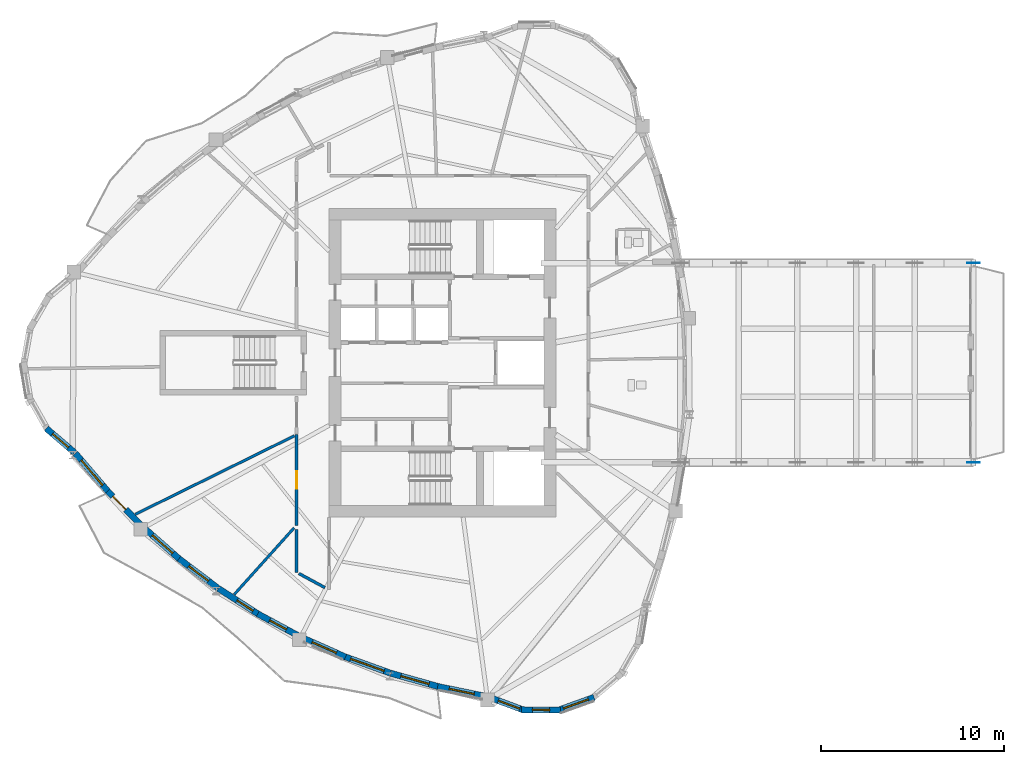
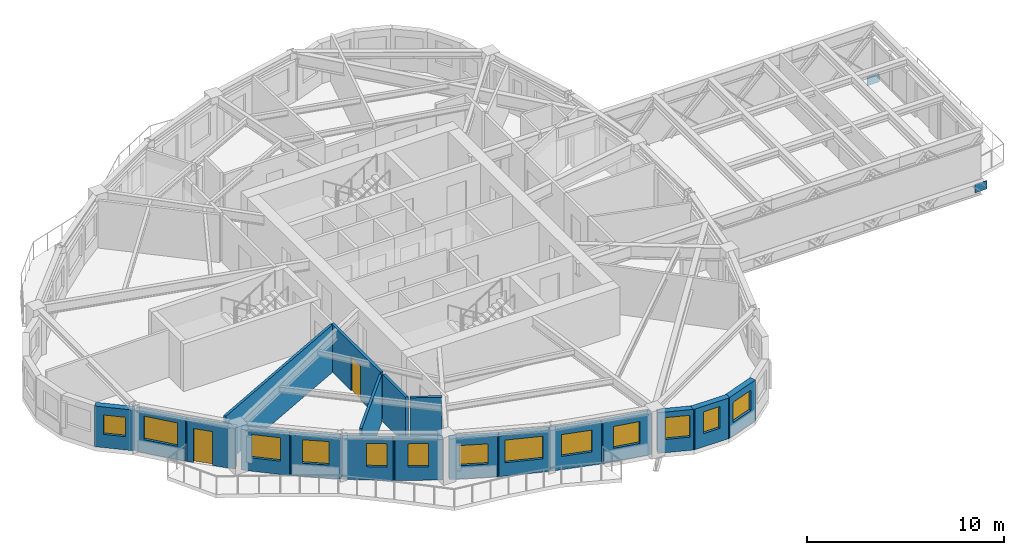
# One storey, part 4 of 13: 19 walls, 13 windows, 2 doors, 2 plates, 15 openings.
"""IFC4 building model written with IfcOpenShell, lengths in metres."""

from ifc_helpers import new_model, si_unit, direction, frame, frame_2d, origin, origin_2d, place, context, subcontext, project, spatial, rectangle, extrude, source, transform, mapped, material, layer, layer_set, type_object, element, fill, save


model = new_model("IFC4")

# Units and contexts
model_context = context("Model", 3, precision=1e-05, world=origin(), true_north=direction((0.0, 1.0)))
body_context = subcontext(model_context, "Body", "Model", "MODEL_VIEW")
ifc_project = project(units=[si_unit("LENGTHUNIT", "METRE"), si_unit("AREAUNIT", "SQUARE_METRE"), si_unit("VOLUMEUNIT", "CUBIC_METRE"), si_unit("PLANEANGLEUNIT", "RADIAN"), si_unit("MASSUNIT", "GRAM", prefix="KILO")], contexts=[model_context])

# Site, building, storey
site_placement = place(None, origin())
site = spatial("IfcSite", under=ifc_project, at=site_placement, CompositionType="ELEMENT")
building_placement = place(site_placement, origin())
building = spatial("IfcBuilding", under=site, at=building_placement, Name="Qafzar Sky-Pleat Residences", CompositionType="ELEMENT")
storey_placement = place(building_placement, frame((0.0, 0.0, 152.199951171875)))
storey = spatial("IfcBuildingStorey", under=building, at=storey_placement, Name="L45", CompositionType="ELEMENT", Elevation=152.199951171875)

# Plates
ifc_material_1 = material(Name="Steel S355", Category="steel")
ifc_layer_1 = layer(ifc_material_1, 0.030029296875)
ifc_layer_set_1 = layer_set([ifc_layer_1], Name="Steel S355")
plate_type = type_object("IfcPlateType", Name="PLT-NODE-SBN2", PredefinedType="SHEET", material=ifc_layer_set_1)
shared_shape_1 = source(origin(), body_context, "Body", "SweptSolid", [
    extrude(rectangle(XDim=0.699951171875, YDim=0.030029296875, at=origin_2d()), origin(), (0.0, 0.0, 1.0), 0.52001953125),
])
for number, where, z_axis, x_axis, name in (
    (1, (59.392578125, 31.449951171875, -0.925048828125), (0.0, 0.0, 1.0), (1.0, 0.0, 0.0), "SB-4 Truss Node Plate L5"),
    (2, (59.392578125, 20.550048828125, -0.925048828125), (0.0, 0.0, 1.0), (1.0, 0.0, 0.0), "SB-4 Truss Node Plate R5"),
):
    element("IfcPlate", number, at=place(storey_placement, frame(where, z_axis=z_axis, x_axis=x_axis)), inside=storey, type_object=plate_type, Name=name, PredefinedType="SHEET", context=body_context, shape_type="MappedRepresentation", body=[
        mapped(shared_shape_1, transform((0.0, 0.0, 0.0), x_axis=(1.0, 0.0, 0.0), y_axis=(0.0, 1.0, 0.0), z_axis=(0.0, 0.0, 1.0), scale=1.0)),
    ])

# Wall, opening, door
ifc_material_2 = material(Name="Acoustic gypsum plasterboard partition", Category="gypsum")
ifc_layer_2 = layer(ifc_material_2, 0.159912109375)
ifc_layer_set_2 = layer_set([ifc_layer_2], Name="Acoustic gypsum plasterboard partition")
wall_type_1 = type_object("IfcWallType", Name="PART-COR-160", PredefinedType="PARTITIONING", material=ifc_layer_set_2)
wall_1_placement = place(storey_placement, frame((22.3701171875, 17.096923828125, 0.0), z_axis=(0.0, 0.0, 1.0), x_axis=(0.0, 1.0, 0.0)))
wall_1 = element("IfcWall", 3, at=wall_1_placement, inside=storey, type_object=wall_type_1, Name="L45 Partition Wall PART-L45-PW-004", PredefinedType="PARTITIONING", context=body_context, shape_type="SweptSolid", body=[
    extrude(rectangle(XDim=4.982177734375, YDim=0.159912109375, at=frame_2d((2.4912109375, 0.0))), origin(), (0.0, 0.0, 1.0), 2.93505859375),
])
opening_1_placement = place(wall_1_placement, frame((2.013916015625, 0.0, 0.0)))
opening_1 = element("IfcOpeningElement", 4, at=opening_1_placement, cuts=wall_1, Name="Opening ID-06", PredefinedType="OPENING", context=body_context, shape_type="SweptSolid", body=[
    extrude(rectangle(XDim=0.9599609375, YDim=2.10009765625, at=frame_2d((0.47998046875, 1.050048828125))), frame((0.0, 0.08984375, 0.0), z_axis=(0.0, -1.0, 0.0), x_axis=(1.0, 0.0, 0.0)), (0.0, 0.0, 1.0), 0.179931640625),
])
ifc_material_3 = material(Name="Timber-faced fire door", Category="wood")
door_type_1 = type_object("IfcDoorType", Name="DR-STD-960", OperationType="NOTDEFINED", PredefinedType="DOOR", material=ifc_material_3)
shared_shape_2 = source(origin(), body_context, "Body", "SweptSolid", [
    extrude(rectangle(XDim=0.9599609375, YDim=2.10009765625, at=frame_2d((0.47998046875, 1.050048828125))), frame((0.0, 0.02490234375, 0.0), z_axis=(0.0, -1.0, 0.0), x_axis=(1.0, 0.0, 0.0)), (0.0, 0.0, 1.0), 0.050048828125),
])
door_1_placement = place(opening_1_placement, origin())
door_1 = element("IfcDoor", 5, at=door_1_placement, inside=storey, type_object=door_type_1, Name="L45 Scholar Co-Working Workspace Door", OperationType="SINGLE_SWING_RIGHT", OverallHeight=2.10009765625, OverallWidth=0.9599609375, PredefinedType="DOOR", context=body_context, shape_type="MappedRepresentation", body=[
    mapped(shared_shape_2, transform((0.0, 0.0, 0.0), x_axis=(1.0, 0.0, 0.0), y_axis=(0.0, 1.0, 0.0), z_axis=(0.0, 0.0, 1.0), scale=1.0)),
])
fill(opening_1, door_1)

# Walls
wall_2_placement = place(storey_placement, frame((22.3701171875, 14.5380859375, 0.0), z_axis=(0.0, 0.0, 1.0), x_axis=(0.0, 1.0, 0.0)))
element("IfcWall", 6, at=wall_2_placement, inside=storey, type_object=wall_type_1, Name="L45 Partition Wall PART-L45-PW-029", PredefinedType="PARTITIONING", context=body_context, shape_type="SweptSolid", body=[
    extrude(rectangle(XDim=2.33837890625, YDim=0.159912109375, at=frame_2d((1.169189453125, 0.0))), origin(), (0.0, 0.0, 1.0), 2.93505859375),
])
wall_3_placement = place(storey_placement, frame((22.4951171875, 14.470458984375, 0.0), z_axis=(0.0, 0.0, 1.0), x_axis=(0.879828765098, -0.475290799517, 0.0)))
element("IfcWall", 7, at=wall_3_placement, inside=storey, type_object=wall_type_1, Name="L45 Partition Wall PART-L45-PW-034", PredefinedType="PARTITIONING", context=body_context, shape_type="SweptSolid", body=[
    extrude(rectangle(XDim=1.625244140625, YDim=0.159912109375, at=frame_2d((0.8125, 0.0))), origin(), (0.0, 0.0, 1.0), 2.93505859375),
])
ifc_layer_3 = layer(ifc_material_2, 0.14501953125)
ifc_layer_set_3 = layer_set([ifc_layer_3], Name="Acoustic gypsum plasterboard partition")
wall_type_2 = type_object("IfcWallType", Name="PART-UNIT-145", PredefinedType="PARTITIONING", material=ifc_layer_set_3)
wall_4_placement = place(storey_placement, frame((13.5400390625, 17.705810546875, 0.0), z_axis=(0.0, 0.0, 1.0), x_axis=(0.896762400541, 0.442512369291, 0.0)))
element("IfcWall", 8, at=wall_4_placement, inside=storey, type_object=wall_type_2, Name="L45 Partition Wall PART-L45-PW-016", PredefinedType="PARTITIONING", context=body_context, shape_type="SweptSolid", body=[
    extrude(rectangle(XDim=9.71337890625, YDim=0.14501953125, at=frame_2d((4.856689453125, 0.0))), origin(), (0.0, 0.0, 1.0), 2.93505859375),
])
wall_5_placement = place(storey_placement, frame((18.957275390625, 13.321533203125, 0.0), z_axis=(0.0, 0.0, 1.0), x_axis=(0.66841369867, 0.743789706456, 0.0)))
element("IfcWall", 9, at=wall_5_placement, inside=storey, type_object=wall_type_2, Name="L45 Partition Wall PART-L45-PW-024", PredefinedType="PARTITIONING", context=body_context, shape_type="SweptSolid", body=[
    extrude(rectangle(XDim=4.897216796875, YDim=0.14501953125, at=frame_2d((2.44873046875, 0.0))), origin(), (0.0, 0.0, 1.0), 2.93505859375),
])

# Wall, opening, window
ifc_material_4 = material(Name="Precast concrete C40/50 with honed Riyadh limestone", Category="concrete")
ifc_layer_4 = layer(ifc_material_4, 0.340087890625)
ifc_layer_set_4 = layer_set([ifc_layer_4], Name="Precast concrete C40/50 with honed Riyadh limestone")
wall_type_3 = type_object("IfcWallType", Name="WALL-EXT-340", PredefinedType="SOLIDWALL", material=ifc_layer_set_4)
wall_6_placement = place(storey_placement, frame((8.682373046875, 22.406005859375, 0.0), z_axis=(0.0, 0.0, 1.0), x_axis=(0.760269373804, -0.649607942728, 0.0)))
wall_6 = element("IfcWall", 10, at=wall_6_placement, inside=storey, type_object=wall_type_3, Name="L45 Limestone Facade Wall 6", PredefinedType="SOLIDWALL", context=body_context, shape_type="SweptSolid", body=[
    extrude(rectangle(XDim=2.023193359375, YDim=0.340087890625, at=frame_2d((1.01171875, 0.0))), origin(), (0.0, 0.0, 1.0), 2.51513671875),
])
opening_2_placement = place(wall_6_placement, frame((0.446533203125, 0.0, 0.820068359375)))
opening_2 = element("IfcOpeningElement", 11, at=opening_2_placement, cuts=wall_6, Name="Opening WN-16", PredefinedType="OPENING", context=body_context, shape_type="SweptSolid", body=[
    extrude(rectangle(XDim=1.14990234375, YDim=1.199951171875, at=frame_2d((0.574951171875, 0.60009765625))), frame((0.0, 0.18017578125, 0.0), z_axis=(0.0, -1.0, 0.0), x_axis=(1.0, 0.0, 0.0)), (0.0, 0.0, 1.0), 0.360107421875),
])
ifc_material_5 = material(Name="Solar-control low-E glass in bronze aluminium frame", Category="glass")
window_type_1 = type_object("IfcWindowType", Name="WIN-16", PartitioningType="SINGLE_PANEL", PredefinedType="WINDOW", material=ifc_material_5)
shared_shape_3 = source(origin(), body_context, "Body", "SweptSolid", [
    extrude(rectangle(XDim=1.14990234375, YDim=1.199951171875, at=frame_2d((0.574951171875, 0.60009765625))), frame((0.0, 0.030029296875, 0.0), z_axis=(0.0, -1.0, 0.0), x_axis=(1.0, 0.0, 0.0)), (0.0, 0.0, 1.0), 0.06005859375),
])
window_1_placement = place(opening_2_placement, origin())
window_1 = element("IfcWindow", 12, at=window_1_placement, inside=storey, type_object=window_type_1, Name="L45 Punched Facade Window 06", OverallHeight=1.199951171875, OverallWidth=1.14990234375, PartitioningType="SINGLE_PANEL", PredefinedType="WINDOW", context=body_context, shape_type="MappedRepresentation", body=[
    mapped(shared_shape_3, transform((0.0, 0.0, 0.0), x_axis=(1.0, 0.0, 0.0), y_axis=(0.0, 1.0, 0.0), z_axis=(0.0, 0.0, 1.0), scale=1.0)),
])
fill(opening_2, window_1)

wall_7_placement = place(storey_placement, frame((10.267333984375, 21.045166015625, 0.0), z_axis=(0.0, 0.0, 1.0), x_axis=(0.650339388137, -0.759643785098, 0.0)))
wall_7 = element("IfcWall", 13, at=wall_7_placement, inside=storey, type_object=wall_type_3, Name="L45 Limestone Facade Wall 7", PredefinedType="SOLIDWALL", context=body_context, shape_type="SweptSolid", body=[
    extrude(rectangle(XDim=2.80322265625, YDim=0.340087890625, at=frame_2d((1.401611328125, 0.0))), origin(), (0.0, 0.0, 1.0), 2.51513671875),
])
opening_3_placement = place(wall_7_placement, frame((0.491455078125, 0.0, 0.820068359375)))
opening_3 = element("IfcOpeningElement", 14, at=opening_3_placement, cuts=wall_7, Name="Opening WN-01", PredefinedType="OPENING", context=body_context, shape_type="SweptSolid", body=[
    extrude(rectangle(XDim=1.800048828125, YDim=1.449951171875, at=frame_2d((0.89990234375, 0.72509765625))), frame((0.0, 0.18017578125, 0.0), z_axis=(0.0, -1.0, 0.0), x_axis=(1.0, 0.0, 0.0)), (0.0, 0.0, 1.0), 0.360107421875),
])
window_type_2 = type_object("IfcWindowType", Name="WIN-01", PartitioningType="DOUBLE_PANEL_VERTICAL", PredefinedType="WINDOW", material=ifc_material_5)
shared_shape_4 = source(origin(), body_context, "Body", "SweptSolid", [
    extrude(rectangle(XDim=1.800048828125, YDim=1.449951171875, at=frame_2d((0.89990234375, 0.72509765625))), frame((0.0, 0.030029296875, 0.0), z_axis=(0.0, -1.0, 0.0), x_axis=(1.0, 0.0, 0.0)), (0.0, 0.0, 1.0), 0.06005859375),
])
window_2_placement = place(opening_3_placement, origin())
window_2 = element("IfcWindow", 15, at=window_2_placement, inside=storey, type_object=window_type_2, Name="L45 Punched Facade Window 07", OverallHeight=1.449951171875, OverallWidth=1.800048828125, PartitioningType="SINGLE_PANEL", PredefinedType="WINDOW", context=body_context, shape_type="MappedRepresentation", body=[
    mapped(shared_shape_4, transform((0.0, 0.0, 0.0), x_axis=(1.0, 0.0, 0.0), y_axis=(0.0, 1.0, 0.0), z_axis=(0.0, 0.0, 1.0), scale=1.0)),
])
fill(opening_3, window_2)

# Wall, opening, door
wall_8_placement = place(storey_placement, frame((12.031005859375, 18.98046875, 0.0), z_axis=(0.0, 0.0, 1.0), x_axis=(0.701518749222, -0.712650997677, 0.0)))
wall_8 = element("IfcWall", 16, at=wall_8_placement, inside=storey, type_object=wall_type_3, Name="L45 Limestone Facade Wall 8", PredefinedType="SOLIDWALL", context=body_context, shape_type="SweptSolid", body=[
    extrude(rectangle(XDim=2.60986328125, YDim=0.340087890625, at=frame_2d((1.304931640625, 0.0))), origin(), (0.0, 0.0, 1.0), 2.51513671875),
])
opening_4_placement = place(wall_8_placement, frame((0.413330078125, 0.0, 0.0)))
opening_4 = element("IfcOpeningElement", 17, at=opening_4_placement, cuts=wall_8, Name="Opening ED-05", PredefinedType="OPENING", context=body_context, shape_type="SweptSolid", body=[
    extrude(rectangle(XDim=1.0, YDim=2.10009765625, at=frame_2d((0.5, 1.050048828125))), frame((0.0, 0.18017578125, 0.0), z_axis=(0.0, -1.0, 0.0), x_axis=(1.0, 0.0, 0.0)), (0.0, 0.0, 1.0), 0.360107421875),
])
ifc_material_6 = material(Name="Glazed bronze aluminium door", Category="aluminium")
door_type_2 = type_object("IfcDoorType", Name="DR-BAL-1000", OperationType="NOTDEFINED", PredefinedType="DOOR", material=ifc_material_6)
shared_shape_5 = source(origin(), body_context, "Body", "SweptSolid", [
    extrude(rectangle(XDim=1.0, YDim=2.10009765625, at=frame_2d((0.5, 1.050048828125))), frame((0.0, 0.02490234375, 0.0), z_axis=(0.0, -1.0, 0.0), x_axis=(1.0, 0.0, 0.0)), (0.0, 0.0, 1.0), 0.050048828125),
])
door_2_placement = place(opening_4_placement, origin())
door_2 = element("IfcDoor", 18, at=door_2_placement, inside=storey, type_object=door_type_2, Name="L45 Glazed Balcony Door 2", OperationType="SINGLE_SWING_LEFT", OverallHeight=2.10009765625, OverallWidth=1.0, PredefinedType="DOOR", context=body_context, shape_type="MappedRepresentation", body=[
    mapped(shared_shape_5, transform((0.0, 0.0, 0.0), x_axis=(1.0, 0.0, 0.0), y_axis=(0.0, 1.0, 0.0), z_axis=(0.0, 0.0, 1.0), scale=1.0)),
])
fill(opening_4, door_2)

# Wall, opening, window
wall_9_placement = place(storey_placement, frame((14.077880859375, 16.916259765625, 0.0), z_axis=(0.0, 0.0, 1.0), x_axis=(0.751177768463, -0.660099962253, 0.0)))
wall_9 = element("IfcWall", 19, at=wall_9_placement, inside=storey, type_object=wall_type_3, Name="L45 Limestone Facade Wall 9", PredefinedType="SOLIDWALL", context=body_context, shape_type="SweptSolid", body=[
    extrude(rectangle(XDim=2.565185546875, YDim=0.340087890625, at=frame_2d((1.28271484375, 0.0))), origin(), (0.0, 0.0, 1.0), 2.51513671875),
])
opening_5_placement = place(wall_9_placement, frame((0.527587890625, 0.0, 0.820068359375)))
opening_5 = element("IfcOpeningElement", 20, at=opening_5_placement, cuts=wall_9, Name="Opening WN-03", PredefinedType="OPENING", context=body_context, shape_type="SweptSolid", body=[
    extrude(rectangle(XDim=1.5, YDim=1.449951171875, at=frame_2d((0.75, 0.72509765625))), frame((0.0, 0.18017578125, 0.0), z_axis=(0.0, -1.0, 0.0), x_axis=(1.0, 0.0, 0.0)), (0.0, 0.0, 1.0), 0.360107421875),
])
window_type_3 = type_object("IfcWindowType", Name="WIN-03", PartitioningType="DOUBLE_PANEL_VERTICAL", PredefinedType="WINDOW", material=ifc_material_5)
shared_shape_6 = source(origin(), body_context, "Body", "SweptSolid", [
    extrude(rectangle(XDim=1.5, YDim=1.449951171875, at=frame_2d((0.75, 0.72509765625))), frame((0.0, 0.030029296875, 0.0), z_axis=(0.0, -1.0, 0.0), x_axis=(1.0, 0.0, 0.0)), (0.0, 0.0, 1.0), 0.06005859375),
])
window_3_placement = place(opening_5_placement, origin())
window_3 = element("IfcWindow", 21, at=window_3_placement, inside=storey, type_object=window_type_3, Name="L45 Punched Facade Window 09", OverallHeight=1.449951171875, OverallWidth=1.5, PartitioningType="SINGLE_PANEL", PredefinedType="WINDOW", context=body_context, shape_type="MappedRepresentation", body=[
    mapped(shared_shape_6, transform((0.0, 0.0, 0.0), x_axis=(1.0, 0.0, 0.0), y_axis=(0.0, 1.0, 0.0), z_axis=(0.0, 0.0, 1.0), scale=1.0)),
])
fill(opening_5, window_3)

wall_10_placement = place(storey_placement, frame((15.93603515625, 15.27880859375, 0.0), z_axis=(0.0, 0.0, 1.0), x_axis=(0.798020729511, -0.602629998649, 0.0)))
wall_10 = element("IfcWall", 22, at=wall_10_placement, inside=storey, type_object=wall_type_3, Name="L45 Limestone Facade Wall 10", PredefinedType="SOLIDWALL", context=body_context, shape_type="SweptSolid", body=[
    extrude(rectangle(XDim=2.670166015625, YDim=0.340087890625, at=frame_2d((1.3349609375, 0.0))), origin(), (0.0, 0.0, 1.0), 2.51513671875),
])
opening_6_placement = place(wall_10_placement, frame((0.670166015625, 0.0, 0.820068359375)))
opening_6 = element("IfcOpeningElement", 23, at=opening_6_placement, cuts=wall_10, Name="Opening WN-04", PredefinedType="OPENING", context=body_context, shape_type="SweptSolid", body=[
    extrude(rectangle(XDim=1.35009765625, YDim=1.449951171875, at=frame_2d((0.675048828125, 0.72509765625))), frame((0.0, 0.18017578125, 0.0), z_axis=(0.0, -1.0, 0.0), x_axis=(1.0, 0.0, 0.0)), (0.0, 0.0, 1.0), 0.360107421875),
])
window_type_4 = type_object("IfcWindowType", Name="WIN-04", PartitioningType="SINGLE_PANEL", PredefinedType="WINDOW", material=ifc_material_5)
shared_shape_7 = source(origin(), body_context, "Body", "SweptSolid", [
    extrude(rectangle(XDim=1.35009765625, YDim=1.449951171875, at=frame_2d((0.675048828125, 0.72509765625))), frame((0.0, 0.030029296875, 0.0), z_axis=(0.0, -1.0, 0.0), x_axis=(1.0, 0.0, 0.0)), (0.0, 0.0, 1.0), 0.06005859375),
])
window_4_placement = place(opening_6_placement, origin())
window_4 = element("IfcWindow", 24, at=window_4_placement, inside=storey, type_object=window_type_4, Name="L45 Punched Facade Window 10", OverallHeight=1.449951171875, OverallWidth=1.35009765625, PartitioningType="SINGLE_PANEL", PredefinedType="WINDOW", context=body_context, shape_type="MappedRepresentation", body=[
    mapped(shared_shape_7, transform((0.0, 0.0, 0.0), x_axis=(1.0, 0.0, 0.0), y_axis=(0.0, 1.0, 0.0), z_axis=(0.0, 0.0, 1.0), scale=1.0)),
])
fill(opening_6, window_4)

wall_11_placement = place(storey_placement, frame((18.089111328125, 13.654296875, 0.0), z_axis=(0.0, 0.0, 1.0), x_axis=(0.841241207466, -0.540659995617, 0.0)))
wall_11 = element("IfcWall", 25, at=wall_11_placement, inside=storey, type_object=wall_type_3, Name="L45 Limestone Facade Wall 11", PredefinedType="SOLIDWALL", context=body_context, shape_type="SweptSolid", body=[
    extrude(rectangle(XDim=2.6552734375, YDim=0.340087890625, at=frame_2d((1.32763671875, 0.0))), origin(), (0.0, 0.0, 1.0), 2.51513671875),
])
opening_7_placement = place(wall_11_placement, frame((1.21533203125, 0.0, 0.820068359375)))
opening_7 = element("IfcOpeningElement", 26, at=opening_7_placement, cuts=wall_11, Name="Opening WN-06", PredefinedType="OPENING", context=body_context, shape_type="SweptSolid", body=[
    extrude(rectangle(XDim=1.050048828125, YDim=1.449951171875, at=frame_2d((0.52490234375, 0.72509765625))), frame((0.0, 0.18017578125, 0.0), z_axis=(0.0, -1.0, 0.0), x_axis=(1.0, 0.0, 0.0)), (0.0, 0.0, 1.0), 0.360107421875),
])
window_type_5 = type_object("IfcWindowType", Name="WIN-06", PartitioningType="SINGLE_PANEL", PredefinedType="WINDOW", material=ifc_material_5)
shared_shape_8 = source(origin(), body_context, "Body", "SweptSolid", [
    extrude(rectangle(XDim=1.050048828125, YDim=1.449951171875, at=frame_2d((0.52490234375, 0.72509765625))), frame((0.0, 0.030029296875, 0.0), z_axis=(0.0, -1.0, 0.0), x_axis=(1.0, 0.0, 0.0)), (0.0, 0.0, 1.0), 0.06005859375),
])
window_5_placement = place(opening_7_placement, origin())
window_5 = element("IfcWindow", 27, at=window_5_placement, inside=storey, type_object=window_type_5, Name="L45 Punched Facade Window 11-2", OverallHeight=1.449951171875, OverallWidth=1.050048828125, PartitioningType="SINGLE_PANEL", PredefinedType="WINDOW", context=body_context, shape_type="MappedRepresentation", body=[
    mapped(shared_shape_8, transform((0.0, 0.0, 0.0), x_axis=(1.0, 0.0, 0.0), y_axis=(0.0, 1.0, 0.0), z_axis=(0.0, 0.0, 1.0), scale=1.0)),
])
fill(opening_7, window_5)

wall_12_placement = place(storey_placement, frame((20.246337890625, 12.263916015625, 0.0), z_axis=(0.0, 0.0, 1.0), x_axis=(0.879813837033, -0.475318432385, 0.0)))
wall_12 = element("IfcWall", 28, at=wall_12_placement, inside=storey, type_object=wall_type_3, Name="L45 Limestone Facade Wall 12", PredefinedType="SOLIDWALL", context=body_context, shape_type="SweptSolid", body=[
    extrude(rectangle(XDim=2.52001953125, YDim=0.340087890625, at=frame_2d((1.260009765625, 0.0))), origin(), (0.0, 0.0, 1.0), 2.51513671875),
])
opening_8_placement = place(wall_12_placement, frame((0.739990234375, 0.0, 0.820068359375)))
opening_8 = element("IfcOpeningElement", 29, at=opening_8_placement, cuts=wall_12, Name="Opening WN-06", PredefinedType="OPENING", context=body_context, shape_type="SweptSolid", body=[
    extrude(rectangle(XDim=1.050048828125, YDim=1.449951171875, at=frame_2d((0.52490234375, 0.72509765625))), frame((0.0, 0.18017578125, 0.0), z_axis=(0.0, -1.0, 0.0), x_axis=(1.0, 0.0, 0.0)), (0.0, 0.0, 1.0), 0.360107421875),
])
window_6_placement = place(opening_8_placement, origin())
window_6 = element("IfcWindow", 30, at=window_6_placement, inside=storey, type_object=window_type_5, Name="L45 Punched Facade Window 12", OverallHeight=1.449951171875, OverallWidth=1.050048828125, PartitioningType="SINGLE_PANEL", PredefinedType="WINDOW", context=body_context, shape_type="MappedRepresentation", body=[
    mapped(shared_shape_8, transform((0.0, 0.0, 0.0), x_axis=(1.0, 0.0, 0.0), y_axis=(0.0, 1.0, 0.0), z_axis=(0.0, 0.0, 1.0), scale=1.0)),
])
fill(opening_8, window_6)

wall_13_placement = place(storey_placement, frame((22.729736328125, 10.93505859375, 0.0), z_axis=(0.0, 0.0, 1.0), x_axis=(0.91319100356, -0.407531828226, 0.0)))
wall_13 = element("IfcWall", 31, at=wall_13_placement, inside=storey, type_object=wall_type_3, Name="L45 Limestone Facade Wall 13", PredefinedType="SOLIDWALL", context=body_context, shape_type="SweptSolid", body=[
    extrude(rectangle(XDim=2.53515625, YDim=0.340087890625, at=frame_2d((1.267578125, 0.0))), origin(), (0.0, 0.0, 1.0), 2.51513671875),
])
opening_9_placement = place(wall_13_placement, frame((0.53759765625, 0.0, 0.820068359375)))
opening_9 = element("IfcOpeningElement", 32, at=opening_9_placement, cuts=wall_13, Name="Opening WN-15", PredefinedType="OPENING", context=body_context, shape_type="SweptSolid", body=[
    extrude(rectangle(XDim=1.449951171875, YDim=1.25, at=frame_2d((0.72509765625, 0.625))), frame((0.0, 0.18017578125, 0.0), z_axis=(0.0, -1.0, 0.0), x_axis=(1.0, 0.0, 0.0)), (0.0, 0.0, 1.0), 0.360107421875),
])
window_type_6 = type_object("IfcWindowType", Name="WIN-15", PartitioningType="SINGLE_PANEL", PredefinedType="WINDOW", material=ifc_material_5)
shared_shape_9 = source(origin(), body_context, "Body", "SweptSolid", [
    extrude(rectangle(XDim=1.449951171875, YDim=1.25, at=frame_2d((0.72509765625, 0.625))), frame((0.0, 0.030029296875, 0.0), z_axis=(0.0, -1.0, 0.0), x_axis=(1.0, 0.0, 0.0)), (0.0, 0.0, 1.0), 0.06005859375),
])
window_7_placement = place(opening_9_placement, origin())
window_7 = element("IfcWindow", 33, at=window_7_placement, inside=storey, type_object=window_type_6, Name="L45 Punched Facade Window 13", OverallHeight=1.25, OverallWidth=1.449951171875, PartitioningType="SINGLE_PANEL", PredefinedType="WINDOW", context=body_context, shape_type="MappedRepresentation", body=[
    mapped(shared_shape_9, transform((0.0, 0.0, 0.0), x_axis=(1.0, 0.0, 0.0), y_axis=(0.0, 1.0, 0.0), z_axis=(0.0, 0.0, 1.0), scale=1.0)),
])
fill(opening_9, window_7)

wall_14_placement = place(storey_placement, frame((24.962646484375, 9.934814453125, 0.0), z_axis=(0.0, 0.0, 1.0), x_axis=(0.940931201947, -0.338597804486, 0.0)))
wall_14 = element("IfcWall", 34, at=wall_14_placement, inside=storey, type_object=wall_type_3, Name="L45 Limestone Facade Wall 14", PredefinedType="SOLIDWALL", context=body_context, shape_type="SweptSolid", body=[
    extrude(rectangle(XDim=2.7001953125, YDim=0.340087890625, at=frame_2d((1.35009765625, 0.0))), origin(), (0.0, 0.0, 1.0), 2.51513671875),
])
opening_10_placement = place(wall_14_placement, frame((0.38525390625, 0.0, 0.820068359375)))
opening_10 = element("IfcOpeningElement", 35, at=opening_10_placement, cuts=wall_14, Name="Opening WN-08", PredefinedType="OPENING", context=body_context, shape_type="SweptSolid", body=[
    extrude(rectangle(XDim=1.949951171875, YDim=1.39990234375, at=frame_2d((0.97509765625, 0.699951171875))), frame((0.0, 0.18017578125, 0.0), z_axis=(0.0, -1.0, 0.0), x_axis=(1.0, 0.0, 0.0)), (0.0, 0.0, 1.0), 0.360107421875),
])
window_type_7 = type_object("IfcWindowType", Name="WIN-08", PartitioningType="DOUBLE_PANEL_VERTICAL", PredefinedType="WINDOW", material=ifc_material_5)
shared_shape_10 = source(origin(), body_context, "Body", "SweptSolid", [
    extrude(rectangle(XDim=1.949951171875, YDim=1.39990234375, at=frame_2d((0.97509765625, 0.699951171875))), frame((0.0, 0.030029296875, 0.0), z_axis=(0.0, -1.0, 0.0), x_axis=(1.0, 0.0, 0.0)), (0.0, 0.0, 1.0), 0.06005859375),
])
window_8_placement = place(opening_10_placement, origin())
window_8 = element("IfcWindow", 36, at=window_8_placement, inside=storey, type_object=window_type_7, Name="L45 Punched Facade Window 14", OverallHeight=1.39990234375, OverallWidth=1.949951171875, PartitioningType="SINGLE_PANEL", PredefinedType="WINDOW", context=body_context, shape_type="MappedRepresentation", body=[
    mapped(shared_shape_10, transform((0.0, 0.0, 0.0), x_axis=(1.0, 0.0, 0.0), y_axis=(0.0, 1.0, 0.0), z_axis=(0.0, 0.0, 1.0), scale=1.0)),
])
fill(opening_10, window_8)

wall_15_placement = place(storey_placement, frame((27.52978515625, 9.011962890625, 0.0), z_axis=(0.0, 0.0, 1.0), x_axis=(0.962871583056, -0.26995983876, 0.0)))
wall_15 = element("IfcWall", 37, at=wall_15_placement, inside=storey, type_object=wall_type_3, Name="L45 Limestone Facade Wall 15", PredefinedType="SOLIDWALL", context=body_context, shape_type="SweptSolid", body=[
    extrude(rectangle(XDim=2.74462890625, YDim=0.340087890625, at=frame_2d((1.372314453125, 0.0))), origin(), (0.0, 0.0, 1.0), 2.51513671875),
])
opening_11_placement = place(wall_15_placement, frame((0.5625, 0.0, 0.820068359375)))
opening_11 = element("IfcOpeningElement", 38, at=opening_11_placement, cuts=wall_15, Name="Opening WN-09", PredefinedType="OPENING", context=body_context, shape_type="SweptSolid", body=[
    extrude(rectangle(XDim=1.60009765625, YDim=1.35009765625, at=frame_2d((0.800048828125, 0.675048828125))), frame((0.0, 0.18017578125, 0.0), z_axis=(0.0, -1.0, 0.0), x_axis=(1.0, 0.0, 0.0)), (0.0, 0.0, 1.0), 0.360107421875),
])
window_type_8 = type_object("IfcWindowType", Name="WIN-09", PartitioningType="DOUBLE_PANEL_VERTICAL", PredefinedType="WINDOW", material=ifc_material_5)
shared_shape_11 = source(origin(), body_context, "Body", "SweptSolid", [
    extrude(rectangle(XDim=1.60009765625, YDim=1.35009765625, at=frame_2d((0.800048828125, 0.675048828125))), frame((0.0, 0.030029296875, 0.0), z_axis=(0.0, -1.0, 0.0), x_axis=(1.0, 0.0, 0.0)), (0.0, 0.0, 1.0), 0.06005859375),
])
window_9_placement = place(opening_11_placement, origin())
window_9 = element("IfcWindow", 39, at=window_9_placement, inside=storey, type_object=window_type_8, Name="L45 Punched Facade Window 15", OverallHeight=1.35009765625, OverallWidth=1.60009765625, PartitioningType="SINGLE_PANEL", PredefinedType="WINDOW", context=body_context, shape_type="MappedRepresentation", body=[
    mapped(shared_shape_11, transform((0.0, 0.0, 0.0), x_axis=(1.0, 0.0, 0.0), y_axis=(0.0, 1.0, 0.0), z_axis=(0.0, 0.0, 1.0), scale=1.0)),
])
fill(opening_11, window_9)

wall_16_placement = place(storey_placement, frame((30.08740234375, 8.2919921875, 0.0), z_axis=(0.0, 0.0, 1.0), x_axis=(0.97931860195, -0.202324185097, 0.0)))
wall_16 = element("IfcWall", 40, at=wall_16_placement, inside=storey, type_object=wall_type_3, Name="L45 Limestone Facade Wall 16", PredefinedType="SOLIDWALL", context=body_context, shape_type="SweptSolid", body=[
    extrude(rectangle(XDim=2.66796875, YDim=0.340087890625, at=frame_2d((1.333984375, 0.0))), origin(), (0.0, 0.0, 1.0), 2.51513671875),
])
opening_12_placement = place(wall_16_placement, frame((0.638916015625, 0.0, 0.820068359375)))
opening_12 = element("IfcOpeningElement", 41, at=opening_12_placement, cuts=wall_16, Name="Opening WN-10", PredefinedType="OPENING", context=body_context, shape_type="SweptSolid", body=[
    extrude(rectangle(XDim=1.39990234375, YDim=1.35009765625, at=frame_2d((0.699951171875, 0.675048828125))), frame((0.0, 0.18017578125, 0.0), z_axis=(0.0, -1.0, 0.0), x_axis=(1.0, 0.0, 0.0)), (0.0, 0.0, 1.0), 0.360107421875),
])
window_type_9 = type_object("IfcWindowType", Name="WIN-10", PartitioningType="SINGLE_PANEL", PredefinedType="WINDOW", material=ifc_material_5)
shared_shape_12 = source(origin(), body_context, "Body", "SweptSolid", [
    extrude(rectangle(XDim=1.39990234375, YDim=1.35009765625, at=frame_2d((0.699951171875, 0.675048828125))), frame((0.0, 0.030029296875, 0.0), z_axis=(0.0, -1.0, 0.0), x_axis=(1.0, 0.0, 0.0)), (0.0, 0.0, 1.0), 0.06005859375),
])
window_10_placement = place(opening_12_placement, origin())
window_10 = element("IfcWindow", 42, at=window_10_placement, inside=storey, type_object=window_type_9, Name="L45 Punched Facade Window 16", OverallHeight=1.35009765625, OverallWidth=1.39990234375, PartitioningType="SINGLE_PANEL", PredefinedType="WINDOW", context=body_context, shape_type="MappedRepresentation", body=[
    mapped(shared_shape_12, transform((0.0, 0.0, 0.0), x_axis=(1.0, 0.0, 0.0), y_axis=(0.0, 1.0, 0.0), z_axis=(0.0, 0.0, 1.0), scale=1.0)),
])
fill(opening_12, window_10)

wall_17_placement = place(storey_placement, frame((33.022216796875, 7.659423828125, 0.0), z_axis=(0.0, 0.0, 1.0), x_axis=(0.936898854489, -0.349600538411, 0.0)))
wall_17 = element("IfcWall", 43, at=wall_17_placement, inside=storey, type_object=wall_type_3, Name="L45 Limestone Facade Wall 17", PredefinedType="SOLIDWALL", context=body_context, shape_type="SweptSolid", body=[
    extrude(rectangle(XDim=1.91552734375, YDim=0.340087890625, at=frame_2d((0.957763671875, 0.0))), origin(), (0.0, 0.0, 1.0), 2.51513671875),
])
opening_13_placement = place(wall_17_placement, frame((0.40771484375, 0.0, 0.820068359375)))
opening_13 = element("IfcOpeningElement", 44, at=opening_13_placement, cuts=wall_17, Name="Opening WN-11", PredefinedType="OPENING", context=body_context, shape_type="SweptSolid", body=[
    extrude(rectangle(XDim=1.25, YDim=1.35009765625, at=frame_2d((0.625, 0.675048828125))), frame((0.0, 0.18017578125, 0.0), z_axis=(0.0, -1.0, 0.0), x_axis=(1.0, 0.0, 0.0)), (0.0, 0.0, 1.0), 0.360107421875),
])
window_type_10 = type_object("IfcWindowType", Name="WIN-11", PartitioningType="SINGLE_PANEL", PredefinedType="WINDOW", material=ifc_material_5)
shared_shape_13 = source(origin(), body_context, "Body", "SweptSolid", [
    extrude(rectangle(XDim=1.25, YDim=1.35009765625, at=frame_2d((0.625, 0.675048828125))), frame((0.0, 0.030029296875, 0.0), z_axis=(0.0, -1.0, 0.0), x_axis=(1.0, 0.0, 0.0)), (0.0, 0.0, 1.0), 0.06005859375),
])
window_11_placement = place(opening_13_placement, origin())
window_11 = element("IfcWindow", 45, at=window_11_placement, inside=storey, type_object=window_type_10, Name="L45 Punched Facade Window 17", OverallHeight=1.35009765625, OverallWidth=1.25, PartitioningType="SINGLE_PANEL", PredefinedType="WINDOW", context=body_context, shape_type="MappedRepresentation", body=[
    mapped(shared_shape_13, transform((0.0, 0.0, 0.0), x_axis=(1.0, 0.0, 0.0), y_axis=(0.0, 1.0, 0.0), z_axis=(0.0, 0.0, 1.0), scale=1.0)),
])
fill(opening_13, window_11)

wall_18_placement = place(storey_placement, frame((34.684814453125, 7.013916015625, 0.0), z_axis=(0.0, 0.0, 1.0), x_axis=(0.9999881768, -0.004862742089, 0.0)))
wall_18 = element("IfcWall", 46, at=wall_18_placement, inside=storey, type_object=wall_type_3, Name="L45 Limestone Facade Wall 18", PredefinedType="SOLIDWALL", context=body_context, shape_type="SweptSolid", body=[
    extrude(rectangle(XDim=2.108642578125, YDim=0.340087890625, at=frame_2d((1.05419921875, 0.0))), origin(), (0.0, 0.0, 1.0), 2.51513671875),
])
opening_14_placement = place(wall_18_placement, frame((0.579345703125, 0.0, 0.820068359375)))
opening_14 = element("IfcOpeningElement", 47, at=opening_14_placement, cuts=wall_18, Name="Opening WN-12", PredefinedType="OPENING", context=body_context, shape_type="SweptSolid", body=[
    extrude(rectangle(XDim=0.949951171875, YDim=1.35009765625, at=frame_2d((0.47509765625, 0.675048828125))), frame((0.0, 0.18017578125, 0.0), z_axis=(0.0, -1.0, 0.0), x_axis=(1.0, 0.0, 0.0)), (0.0, 0.0, 1.0), 0.360107421875),
])
window_type_11 = type_object("IfcWindowType", Name="WIN-12", PartitioningType="SINGLE_PANEL", PredefinedType="WINDOW", material=ifc_material_5)
shared_shape_14 = source(origin(), body_context, "Body", "SweptSolid", [
    extrude(rectangle(XDim=0.949951171875, YDim=1.35009765625, at=frame_2d((0.47509765625, 0.675048828125))), frame((0.0, 0.030029296875, 0.0), z_axis=(0.0, -1.0, 0.0), x_axis=(1.0, 0.0, 0.0)), (0.0, 0.0, 1.0), 0.06005859375),
])
window_12_placement = place(opening_14_placement, origin())
window_12 = element("IfcWindow", 48, at=window_12_placement, inside=storey, type_object=window_type_11, Name="L45 Punched Facade Window 18", OverallHeight=1.35009765625, OverallWidth=0.949951171875, PartitioningType="SINGLE_PANEL", PredefinedType="WINDOW", context=body_context, shape_type="MappedRepresentation", body=[
    mapped(shared_shape_14, transform((0.0, 0.0, 0.0), x_axis=(1.0, 0.0, 0.0), y_axis=(0.0, 1.0, 0.0), z_axis=(0.0, 0.0, 1.0), scale=1.0)),
])
fill(opening_14, window_12)

wall_19_placement = place(storey_placement, frame((36.6611328125, 6.980712890625, 0.0), z_axis=(0.0, 0.0, 1.0), x_axis=(0.940242205015, 0.340506381597, 0.0)))
wall_19 = element("IfcWall", 49, at=wall_19_placement, inside=storey, type_object=wall_type_3, Name="L45 Limestone Facade Wall 19", PredefinedType="SOLIDWALL", context=body_context, shape_type="SweptSolid", body=[
    extrude(rectangle(XDim=2.108642578125, YDim=0.340087890625, at=frame_2d((1.05419921875, 0.0))), origin(), (0.0, 0.0, 1.0), 2.51513671875),
])
opening_15_placement = place(wall_19_placement, frame((0.329345703125, 0.0, 0.820068359375)))
opening_15 = element("IfcOpeningElement", 50, at=opening_15_placement, cuts=wall_19, Name="Opening WN-15", PredefinedType="OPENING", context=body_context, shape_type="SweptSolid", body=[
    extrude(rectangle(XDim=1.449951171875, YDim=1.25, at=frame_2d((0.72509765625, 0.625))), frame((0.0, 0.18017578125, 0.0), z_axis=(0.0, -1.0, 0.0), x_axis=(1.0, 0.0, 0.0)), (0.0, 0.0, 1.0), 0.360107421875),
])
window_13_placement = place(opening_15_placement, origin())
window_13 = element("IfcWindow", 51, at=window_13_placement, inside=storey, type_object=window_type_6, Name="L45 Punched Facade Window 19", OverallHeight=1.25, OverallWidth=1.449951171875, PartitioningType="SINGLE_PANEL", PredefinedType="WINDOW", context=body_context, shape_type="MappedRepresentation", body=[
    mapped(shared_shape_9, transform((0.0, 0.0, 0.0), x_axis=(1.0, 0.0, 0.0), y_axis=(0.0, 1.0, 0.0), z_axis=(0.0, 0.0, 1.0), scale=1.0)),
])
fill(opening_15, window_13)

save(model, "model.ifc")
